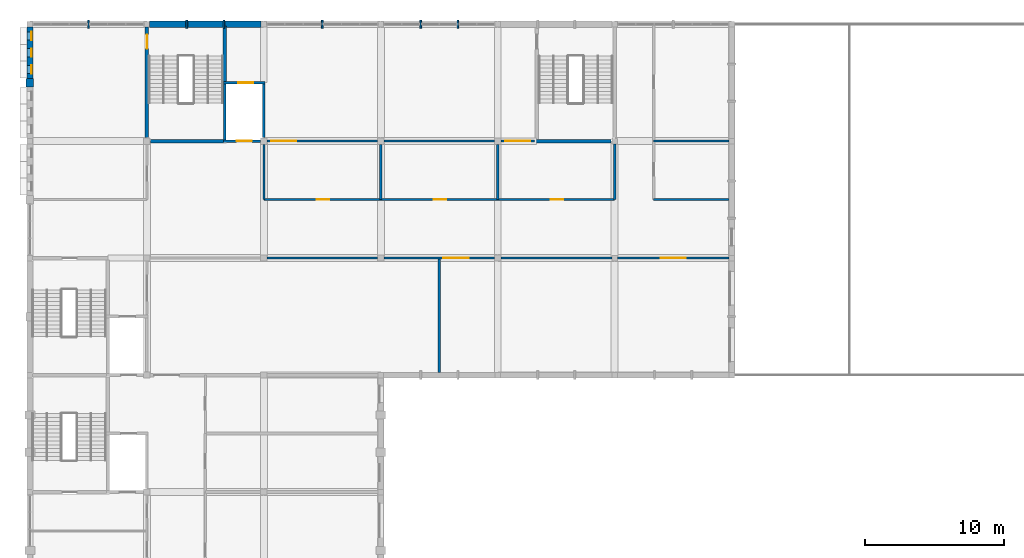
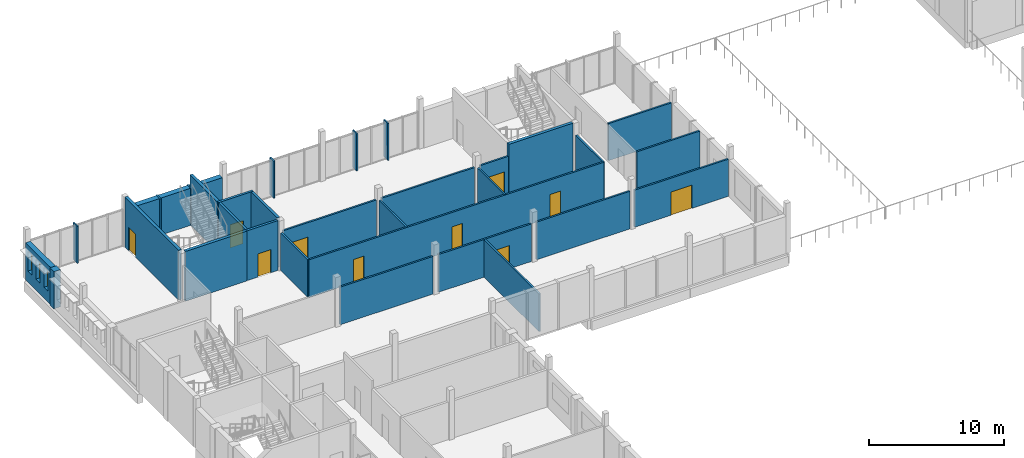
# One storey, part 22 of 30: 34 walls, 10 doors, 3 windows, 13 openings.
"""IFC4 building model written with IfcOpenShell, lengths in metres."""

from ifc_helpers import new_model, si_unit, direction, frame, frame_2d, origin, place, context, subcontext, project, spatial, rectangle, extrude, material, layer, layer_set, type_object, element, fill, save


model = new_model("IFC4")

# Units and contexts
model_context = context("Model", 3, precision=1e-05, world=origin(), true_north=direction((0.0, 1.0)))
body_context = subcontext(model_context, "Body", "Model", "MODEL_VIEW")
ifc_project = project(units=[si_unit("LENGTHUNIT", "METRE"), si_unit("AREAUNIT", "SQUARE_METRE"), si_unit("VOLUMEUNIT", "CUBIC_METRE"), si_unit("PLANEANGLEUNIT", "RADIAN"), si_unit("MASSUNIT", "GRAM", prefix="KILO")], contexts=[model_context])

# Site, building, storey
site_placement = place(None, origin())
site = spatial("IfcSite", under=ifc_project, at=site_placement, CompositionType="ELEMENT")
building_placement = place(site_placement, origin())
building = spatial("IfcBuilding", under=site, at=building_placement, Name="Fescue Hill Polytechnic", CompositionType="ELEMENT")
storey_placement = place(building_placement, frame((0.0, 0.0, 22.5)))
storey = spatial("IfcBuildingStorey", under=building, at=storey_placement, Name="L05", CompositionType="ELEMENT", Elevation=22.5)

# Walls
ifc_material_1 = material(Name="Clay brick masonry", Category="masonry")
ifc_layer_1 = layer(ifc_material_1, 0.550048828125)
ifc_layer_set_1 = layer_set([ifc_layer_1], Name="Clay brick masonry")
wall_type_1 = type_object("IfcWallType", Name="Brick pier 600x550", PredefinedType="SOLIDWALL", material=ifc_layer_set_1)
wall_1_placement = place(storey_placement, frame((0.0, 130.5, 0.0), z_axis=(0.0, 0.0, 1.0), x_axis=(0.0, -1.0, 0.0)))
element("IfcWall", 1, at=wall_1_placement, inside=storey, type_object=wall_type_1, Name="PR-L05-V5-15", PredefinedType="SOLIDWALL", context=body_context, shape_type="SweptSolid", body=[
    extrude(rectangle(XDim=0.60009765625, YDim=0.550048828125, at=frame_2d((0.300048828125, 0.0))), origin(), (0.0, 0.0, 1.0), 3.35009765625),
])
ifc_material_2 = material(Name="Concrete 40 MPa", Category="concrete")
ifc_layer_2 = layer(ifc_material_2, 0.25)
ifc_layer_set_2 = layer_set([ifc_layer_2], Name="Concrete 40 MPa")
wall_type_2 = type_object("IfcWallType", Name="Core wall 250", PredefinedType="SHEAR", material=ifc_layer_set_2)
wall_2_placement = place(storey_placement, frame((36.27490234375, 126.0, 0.0), z_axis=(0.0, 0.0, 1.0), x_axis=(1.0, 0.0, 0.0)))
element("IfcWall", 2, at=wall_2_placement, inside=storey, type_object=wall_type_2, Name="CW-L05-ST-V5-2-11", PredefinedType="SHEAR", context=body_context, shape_type="SweptSolid", body=[
    extrude(rectangle(XDim=5.47509765625, YDim=0.25, at=frame_2d((2.737548828125, 0.0))), origin(), (0.0, 0.0, 1.0), 4.5),
])
wall_3_placement = place(storey_placement, frame((8.64990234375, 126.0, 0.0), z_axis=(0.0, 0.0, 1.0), x_axis=(1.0, 0.0, 0.0)))
element("IfcWall", 3, at=wall_3_placement, inside=storey, type_object=wall_type_2, Name="CW-L05-ST-V5-3-11", PredefinedType="SHEAR", context=body_context, shape_type="SweptSolid", body=[
    extrude(rectangle(XDim=5.25, YDim=0.25, at=frame_2d((2.625, 0.0))), origin(), (0.0, 0.0, 1.0), 4.5),
])

# Wall, opening, door
wall_4_placement = place(storey_placement, frame((8.39990234375, 126.25, 0.0), z_axis=(0.0, 0.0, 1.0), x_axis=(0.0, 1.0, 0.0)))
wall_4 = element("IfcWall", 4, at=wall_4_placement, inside=storey, type_object=wall_type_2, Name="CW-L05-ST-V5-3-31", PredefinedType="SHEAR", context=body_context, shape_type="SweptSolid", body=[
    extrude(rectangle(XDim=7.949951171875, YDim=0.25, at=frame_2d((3.97509765625, 0.0))), origin(), (0.0, 0.0, 1.0), 4.5),
])
opening_1_placement = place(wall_4_placement, frame((6.39990234375, 0.0, 0.0)))
opening_1 = element("IfcOpeningElement", 5, at=opening_1_placement, cuts=wall_4, Name="Opening D5045", PredefinedType="OPENING", context=body_context, shape_type="SweptSolid", body=[
    extrude(rectangle(XDim=1.0, YDim=2.10009765625, at=frame_2d((0.5, 1.050048828125))), frame((0.0, 0.135009765625, 0.0), z_axis=(0.0, -1.0, 0.0), x_axis=(1.0, 0.0, 0.0)), (0.0, 0.0, 1.0), 0.27001953125),
])
ifc_material_3 = material(Name="Steel fire door", Category="steel")
door_type_1 = type_object("IfcDoorType", Name="Door single swing 1000x2100 stair fire rated", OperationType="NOTDEFINED", PredefinedType="DOOR", material=ifc_material_3)
door_1_placement = place(opening_1_placement, origin())
door_1 = element("IfcDoor", 6, at=door_1_placement, inside=storey, type_object=door_type_1, Name="L05 ST-V5-3 stair door", OperationType="SINGLE_SWING_LEFT", OverallHeight=2.10009765625, OverallWidth=1.0, PredefinedType="DOOR", context=body_context, shape_type="SweptSolid", body=[
    extrude(rectangle(XDim=1.0, YDim=2.10009765625, at=frame_2d((0.5, 1.050048828125))), frame((0.0, 0.02490234375, 0.0), z_axis=(0.0, -1.0, 0.0), x_axis=(1.0, 0.0, 0.0)), (0.0, 0.0, 1.0), 0.050048828125),
])
fill(opening_1, door_1)

# Walls
wall_5_placement = place(storey_placement, frame((14.0, 130.2099609375, 0.0), z_axis=(0.0, 0.0, 1.0), x_axis=(0.0, 1.0, 0.0)))
element("IfcWall", 7, at=wall_5_placement, inside=storey, type_object=wall_type_2, Name="CW-L05-ST-V5-3-41", PredefinedType="SHEAR", context=body_context, shape_type="SweptSolid", body=[
    extrude(rectangle(XDim=4.06494140625, YDim=0.25, at=frame_2d((2.032470703125, 0.0))), origin(), (0.0, 0.0, 1.0), 4.5),
])
ifc_material_4 = material(Name="Gypsum board partition")
ifc_layer_3 = layer(ifc_material_4, 0.14990234375)
ifc_layer_set_3 = layer_set([ifc_layer_3], Name="Gypsum board partition")
wall_type_3 = type_object("IfcWallType", Name="Corridor wall 150 EI 45", PredefinedType="PARTITIONING", material=ifc_layer_set_3)
wall_6_placement = place(storey_placement, frame((17.02490234375, 117.60009765625, 0.0), z_axis=(0.0, 0.0, 1.0), x_axis=(1.0, 0.0, 0.0)))
element("IfcWall", 8, at=wall_6_placement, inside=storey, type_object=wall_type_3, Name="IW-L05-023", PredefinedType="PARTITIONING", context=body_context, shape_type="SweptSolid", body=[
    extrude(rectangle(XDim=7.9501953125, YDim=0.14990234375, at=frame_2d((3.97509765625, 0.0))), origin(), (0.0, 0.0, 1.0), 3.39990234375),
])

# Wall, opening, door
wall_7_placement = place(storey_placement, frame((25.425048828125, 117.60009765625, 0.0), z_axis=(0.0, 0.0, 1.0), x_axis=(1.0, 0.0, 0.0)))
wall_7 = element("IfcWall", 9, at=wall_7_placement, inside=storey, type_object=wall_type_3, Name="IW-L05-024", PredefinedType="PARTITIONING", context=body_context, shape_type="SweptSolid", body=[
    extrude(rectangle(XDim=7.949951171875, YDim=0.14990234375, at=frame_2d((3.97509765625, 0.0))), origin(), (0.0, 0.0, 1.0), 3.39990234375),
])
opening_2_placement = place(wall_7_placement, frame((4.27490234375, 0.0, 0.0)))
opening_2 = element("IfcOpeningElement", 10, at=opening_2_placement, cuts=wall_7, Name="Opening D5020", PredefinedType="OPENING", context=body_context, shape_type="SweptSolid", body=[
    extrude(rectangle(XDim=1.800048828125, YDim=2.10009765625, at=frame_2d((0.89990234375, 1.050048828125))), frame((0.0, 0.0849609375, 0.0), z_axis=(0.0, -1.0, 0.0), x_axis=(1.0, 0.0, 0.0)), (0.0, 0.0, 1.0), 0.169921875),
])
ifc_material_5 = material(Name="Timber", Category="wood")
door_type_2 = type_object("IfcDoorType", Name="Door double swing 1800x2100 FD30S", OperationType="DOUBLE_DOOR_SINGLE_SWING", PredefinedType="DOOR", material=ifc_material_5)
door_2_placement = place(opening_2_placement, origin())
door_2 = element("IfcDoor", 11, at=door_2_placement, inside=storey, type_object=door_type_2, Name="Door D5020", OperationType="DOUBLE_DOOR_SINGLE_SWING", OverallHeight=2.10009765625, OverallWidth=1.800048828125, PredefinedType="DOOR", context=body_context, shape_type="SweptSolid", body=[
    extrude(rectangle(XDim=1.800048828125, YDim=2.10009765625, at=frame_2d((0.89990234375, 1.050048828125))), frame((0.0, 0.02490234375, 0.0), z_axis=(0.0, -1.0, 0.0), x_axis=(1.0, 0.0, 0.0)), (0.0, 0.0, 1.0), 0.050048828125),
])
fill(opening_2, door_2)

# Wall
wall_8_placement = place(storey_placement, frame((33.824951171875, 117.60009765625, 0.0), z_axis=(0.0, 0.0, 1.0), x_axis=(1.0, 0.0, 0.0)))
element("IfcWall", 12, at=wall_8_placement, inside=storey, type_object=wall_type_3, Name="IW-L05-025", PredefinedType="PARTITIONING", context=body_context, shape_type="SweptSolid", body=[
    extrude(rectangle(XDim=7.97509765625, YDim=0.14990234375, at=frame_2d((3.987548828125, 0.0))), origin(), (0.0, 0.0, 1.0), 3.39990234375),
])

# Wall, opening, door
wall_9_placement = place(storey_placement, frame((42.199951171875, 117.60009765625, 0.0), z_axis=(0.0, 0.0, 1.0), x_axis=(1.0, 0.0, 0.0)))
wall_9 = element("IfcWall", 13, at=wall_9_placement, inside=storey, type_object=wall_type_3, Name="IW-L05-026", PredefinedType="PARTITIONING", context=body_context, shape_type="SweptSolid", body=[
    extrude(rectangle(XDim=8.0, YDim=0.14990234375, at=frame_2d((4.0, 0.0))), origin(), (0.0, 0.0, 1.0), 3.35009765625),
])
opening_3_placement = place(wall_9_placement, frame((3.10009765625, 0.0, 0.0)))
opening_3 = element("IfcOpeningElement", 14, at=opening_3_placement, cuts=wall_9, Name="Opening D5019", PredefinedType="OPENING", context=body_context, shape_type="SweptSolid", body=[
    extrude(rectangle(XDim=1.800048828125, YDim=2.10009765625, at=frame_2d((0.89990234375, 1.050048828125))), frame((0.0, 0.0849609375, 0.0), z_axis=(0.0, -1.0, 0.0), x_axis=(1.0, 0.0, 0.0)), (0.0, 0.0, 1.0), 0.169921875),
])
door_3_placement = place(opening_3_placement, origin())
door_3 = element("IfcDoor", 15, at=door_3_placement, inside=storey, type_object=door_type_2, Name="Door D5019", OperationType="DOUBLE_DOOR_SINGLE_SWING", OverallHeight=2.10009765625, OverallWidth=1.800048828125, PredefinedType="DOOR", context=body_context, shape_type="SweptSolid", body=[
    extrude(rectangle(XDim=1.800048828125, YDim=2.10009765625, at=frame_2d((0.89990234375, 1.050048828125))), frame((0.0, 0.02490234375, 0.0), z_axis=(0.0, -1.0, 0.0), x_axis=(1.0, 0.0, 0.0)), (0.0, 0.0, 1.0), 0.050048828125),
])
fill(opening_3, door_3)

# Wall, openings, doors
wall_10_placement = place(storey_placement, frame((16.800048828125, 121.800048828125, 0.0), z_axis=(0.0, 0.0, 1.0), x_axis=(1.0, 0.0, 0.0)))
wall_10 = element("IfcWall", 16, at=wall_10_placement, inside=storey, type_object=wall_type_3, Name="IW-L05-031", PredefinedType="PARTITIONING", context=body_context, shape_type="SweptSolid", body=[
    extrude(rectangle(XDim=25.199951171875, YDim=0.14990234375, at=frame_2d((12.60009765625, 0.0))), origin(), (0.0, 0.0, 1.0), 3.39990234375),
])
opening_4_placement = place(wall_10_placement, frame((3.800048828125, 0.0, 0.0)))
opening_4 = element("IfcOpeningElement", 17, at=opening_4_placement, cuts=wall_10, Name="Opening D5021", PredefinedType="OPENING", context=body_context, shape_type="SweptSolid", body=[
    extrude(rectangle(XDim=0.89990234375, YDim=2.10009765625, at=frame_2d((0.449951171875, 1.050048828125))), frame((0.0, 0.0849609375, 0.0), z_axis=(0.0, -1.0, 0.0), x_axis=(1.0, 0.0, 0.0)), (0.0, 0.0, 1.0), 0.169921875),
])
opening_5_placement = place(wall_10_placement, frame((12.199951171875, 0.0, 0.0)))
opening_5 = element("IfcOpeningElement", 18, at=opening_5_placement, cuts=wall_10, Name="Opening D5022", PredefinedType="OPENING", context=body_context, shape_type="SweptSolid", body=[
    extrude(rectangle(XDim=0.89990234375, YDim=2.10009765625, at=frame_2d((0.449951171875, 1.050048828125))), frame((0.0, 0.0849609375, 0.0), z_axis=(0.0, -1.0, 0.0), x_axis=(1.0, 0.0, 0.0)), (0.0, 0.0, 1.0), 0.169921875),
])
opening_6_placement = place(wall_10_placement, frame((20.60009765625, 0.0, 0.0)))
opening_6 = element("IfcOpeningElement", 19, at=opening_6_placement, cuts=wall_10, Name="Opening D5023", PredefinedType="OPENING", context=body_context, shape_type="SweptSolid", body=[
    extrude(rectangle(XDim=0.89990234375, YDim=2.10009765625, at=frame_2d((0.449951171875, 1.050048828125))), frame((0.0, 0.0849609375, 0.0), z_axis=(0.0, -1.0, 0.0), x_axis=(1.0, 0.0, 0.0)), (0.0, 0.0, 1.0), 0.169921875),
])
door_type_3 = type_object("IfcDoorType", Name="Door single swing 900x2100 FD30S", OperationType="SINGLE_SWING_LEFT", PredefinedType="DOOR", material=ifc_material_5)
door_4_placement = place(opening_4_placement, origin())
door_4 = element("IfcDoor", 20, at=door_4_placement, inside=storey, type_object=door_type_3, Name="Door D5021", OperationType="SINGLE_SWING_LEFT", OverallHeight=2.10009765625, OverallWidth=0.89990234375, PredefinedType="DOOR", context=body_context, shape_type="SweptSolid", body=[
    extrude(rectangle(XDim=0.89990234375, YDim=2.10009765625, at=frame_2d((0.449951171875, 1.050048828125))), frame((0.0, 0.02490234375, 0.0), z_axis=(0.0, -1.0, 0.0), x_axis=(1.0, 0.0, 0.0)), (0.0, 0.0, 1.0), 0.050048828125),
])
fill(opening_4, door_4)
door_5_placement = place(opening_5_placement, origin())
door_5 = element("IfcDoor", 21, at=door_5_placement, inside=storey, type_object=door_type_3, Name="Door D5022", OperationType="SINGLE_SWING_RIGHT", OverallHeight=2.10009765625, OverallWidth=0.89990234375, PredefinedType="DOOR", context=body_context, shape_type="SweptSolid", body=[
    extrude(rectangle(XDim=0.89990234375, YDim=2.10009765625, at=frame_2d((0.449951171875, 1.050048828125))), frame((0.0, 0.02490234375, 0.0), z_axis=(0.0, -1.0, 0.0), x_axis=(1.0, 0.0, 0.0)), (0.0, 0.0, 1.0), 0.050048828125),
])
fill(opening_5, door_5)
door_6_placement = place(opening_6_placement, origin())
door_6 = element("IfcDoor", 22, at=door_6_placement, inside=storey, type_object=door_type_3, Name="Door D5023", OperationType="SINGLE_SWING_RIGHT", OverallHeight=2.10009765625, OverallWidth=0.89990234375, PredefinedType="DOOR", context=body_context, shape_type="SweptSolid", body=[
    extrude(rectangle(XDim=0.89990234375, YDim=2.10009765625, at=frame_2d((0.449951171875, 1.050048828125))), frame((0.0, 0.02490234375, 0.0), z_axis=(0.0, -1.0, 0.0), x_axis=(1.0, 0.0, 0.0)), (0.0, 0.0, 1.0), 0.050048828125),
])
fill(opening_6, door_6)

# Walls
wall_11_placement = place(storey_placement, frame((44.800048828125, 121.800048828125, 0.0), z_axis=(0.0, 0.0, 1.0), x_axis=(1.0, 0.0, 0.0)))
element("IfcWall", 23, at=wall_11_placement, inside=storey, type_object=wall_type_3, Name="IW-L05-032", PredefinedType="PARTITIONING", context=body_context, shape_type="SweptSolid", body=[
    extrude(rectangle(XDim=5.39990234375, YDim=0.14990234375, at=frame_2d((2.699951171875, 0.0))), origin(), (0.0, 0.0, 1.0), 3.35009765625),
])
wall_12_placement = place(storey_placement, frame((42.0, 121.800048828125, 0.0), z_axis=(0.0, 0.0, 1.0), x_axis=(0.0, 1.0, 0.0)))
element("IfcWall", 24, at=wall_12_placement, inside=storey, type_object=wall_type_3, Name="IW-L05-058", PredefinedType="PARTITIONING", context=body_context, shape_type="SweptSolid", body=[
    extrude(rectangle(XDim=4.0, YDim=0.14990234375, at=frame_2d((2.0, 0.0))), origin(), (0.0, 0.0, 1.0), 3.39990234375),
])
ifc_layer_4 = layer(ifc_material_2, 0.449951171875)
ifc_layer_set_4 = layer_set([ifc_layer_4], Name="Concrete 40 MPa")
wall_type_4 = type_object("IfcWallType", Name="Exterior wall board-marked concrete 450", PredefinedType="SOLIDWALL", material=ifc_layer_set_4)
wall_13_placement = place(storey_placement, frame((16.60009765625, 134.39990234375, 0.0), z_axis=(0.0, 0.0, 1.0), x_axis=(-1.0, 0.0, 0.0)))
element("IfcWall", 25, at=wall_13_placement, inside=storey, type_object=wall_type_4, Name="EW-L05-V5-13", PredefinedType="SOLIDWALL", context=body_context, shape_type="SweptSolid", body=[
    extrude(rectangle(XDim=2.606689453125, YDim=0.449951171875, at=frame_2d((1.30322265625, 0.0))), origin(), (0.0, 0.0, 1.0), 3.35009765625),
])
ifc_layer_5 = layer(ifc_material_2, 0.449951171875)
ifc_layer_set_5 = layer_set([ifc_layer_5], Name="Concrete 40 MPa")
wall_type_5 = type_object("IfcWallType", Name="Exterior wall board-marked concrete 450 load-bearing", PredefinedType="SOLIDWALL", material=ifc_layer_set_5)
wall_14_placement = place(storey_placement, frame((13.873291015625, 134.39990234375, 0.0), z_axis=(0.0, 0.0, 1.0), x_axis=(-1.0, 0.0, 0.0)))
element("IfcWall", 26, at=wall_14_placement, inside=storey, type_object=wall_type_5, Name="EW-L05-V5-14", PredefinedType="SOLIDWALL", context=body_context, shape_type="SweptSolid", body=[
    extrude(rectangle(XDim=2.546630859375, YDim=0.449951171875, at=frame_2d((1.2734375, 0.0))), origin(), (0.0, 0.0, 1.0), 3.35009765625),
])
wall_15_placement = place(storey_placement, frame((11.206787109375, 134.39990234375, 0.0), z_axis=(0.0, 0.0, 1.0), x_axis=(-1.0, 0.0, 0.0)))
element("IfcWall", 27, at=wall_15_placement, inside=storey, type_object=wall_type_5, Name="EW-L05-V5-15", PredefinedType="SOLIDWALL", context=body_context, shape_type="SweptSolid", body=[
    extrude(rectangle(XDim=2.606689453125, YDim=0.449951171875, at=frame_2d((1.30322265625, 0.0))), origin(), (0.0, 0.0, 1.0), 3.35009765625),
])

# Wall, openings, windows
ifc_layer_6 = layer(ifc_material_1, 0.419921875)
ifc_layer_set_6 = layer_set([ifc_layer_6], Name="Clay brick masonry")
wall_type_6 = type_object("IfcWallType", Name="Exterior wall buff-red brick cavity 420", PredefinedType="SOLIDWALL", material=ifc_layer_set_6)
wall_16_placement = place(storey_placement, frame((0.0, 134.199951171875, 0.0), z_axis=(0.0, 0.0, 1.0), x_axis=(0.0, -1.0, 0.0)))
wall_16 = element("IfcWall", 28, at=wall_16_placement, inside=storey, type_object=wall_type_6, Name="EW-L05-V5-17", PredefinedType="SOLIDWALL", context=body_context, shape_type="SweptSolid", body=[
    extrude(rectangle(XDim=3.699951171875, YDim=0.419921875, at=frame_2d((1.85009765625, 0.0))), origin(), (0.0, 0.0, 1.0), 3.35009765625),
])
opening_7_placement = place(wall_16_placement, frame((0.35009765625, 0.0, 1.0)))
opening_7 = element("IfcOpeningElement", 29, at=opening_7_placement, cuts=wall_16, Name="Opening W6R", PredefinedType="OPENING", context=body_context, shape_type="SweptSolid", body=[
    extrude(rectangle(XDim=0.60009765625, YDim=1.800048828125, at=frame_2d((0.300048828125, 0.89990234375))), frame((0.0, 0.219970703125, 0.0), z_axis=(0.0, -1.0, 0.0), x_axis=(1.0, 0.0, 0.0)), (0.0, 0.0, 1.0), 0.43994140625),
])
opening_8_placement = place(wall_16_placement, frame((1.550048828125, 0.0, 1.0)))
opening_8 = element("IfcOpeningElement", 30, at=opening_8_placement, cuts=wall_16, Name="Opening W6R", PredefinedType="OPENING", context=body_context, shape_type="SweptSolid", body=[
    extrude(rectangle(XDim=0.60009765625, YDim=1.800048828125, at=frame_2d((0.300048828125, 0.89990234375))), frame((0.0, 0.219970703125, 0.0), z_axis=(0.0, -1.0, 0.0), x_axis=(1.0, 0.0, 0.0)), (0.0, 0.0, 1.0), 0.43994140625),
])
opening_9_placement = place(wall_16_placement, frame((2.75, 0.0, 1.0)))
opening_9 = element("IfcOpeningElement", 31, at=opening_9_placement, cuts=wall_16, Name="Opening W6R", PredefinedType="OPENING", context=body_context, shape_type="SweptSolid", body=[
    extrude(rectangle(XDim=0.60009765625, YDim=1.800048828125, at=frame_2d((0.300048828125, 0.89990234375))), frame((0.0, 0.219970703125, 0.0), z_axis=(0.0, -1.0, 0.0), x_axis=(1.0, 0.0, 0.0)), (0.0, 0.0, 1.0), 0.43994140625),
])
ifc_material_6 = material(Name="Powder-coated aluminium and glass", Category="aluminium")
window_type = type_object("IfcWindowType", Name="Window slot 600x1800", PartitioningType="SINGLE_PANEL", PredefinedType="WINDOW", material=ifc_material_6)
window_1_placement = place(opening_7_placement, origin())
window_1 = element("IfcWindow", 32, at=window_1_placement, inside=storey, type_object=window_type, Name="WN-L05-V5-3", OverallHeight=1.800048828125, OverallWidth=0.60009765625, PartitioningType="SINGLE_PANEL", PredefinedType="WINDOW", context=body_context, shape_type="SweptSolid", body=[
    extrude(rectangle(XDim=0.60009765625, YDim=1.800048828125, at=frame_2d((0.300048828125, 0.89990234375))), frame((0.0, 0.150146484375, 0.0), z_axis=(0.0, -1.0, 0.0), x_axis=(1.0, 0.0, 0.0)), (0.0, 0.0, 1.0), 0.06005859375),
])
fill(opening_7, window_1)
window_2_placement = place(opening_8_placement, origin())
window_2 = element("IfcWindow", 33, at=window_2_placement, inside=storey, type_object=window_type, Name="WN-L05-V5-4", OverallHeight=1.800048828125, OverallWidth=0.60009765625, PartitioningType="SINGLE_PANEL", PredefinedType="WINDOW", context=body_context, shape_type="SweptSolid", body=[
    extrude(rectangle(XDim=0.60009765625, YDim=1.800048828125, at=frame_2d((0.300048828125, 0.89990234375))), frame((0.0, 0.150146484375, 0.0), z_axis=(0.0, -1.0, 0.0), x_axis=(1.0, 0.0, 0.0)), (0.0, 0.0, 1.0), 0.06005859375),
])
fill(opening_8, window_2)
window_3_placement = place(opening_9_placement, origin())
window_3 = element("IfcWindow", 34, at=window_3_placement, inside=storey, type_object=window_type, Name="WN-L05-V5-5", OverallHeight=1.800048828125, OverallWidth=0.60009765625, PartitioningType="SINGLE_PANEL", PredefinedType="WINDOW", context=body_context, shape_type="SweptSolid", body=[
    extrude(rectangle(XDim=0.60009765625, YDim=1.800048828125, at=frame_2d((0.300048828125, 0.89990234375))), frame((0.0, 0.150146484375, 0.0), z_axis=(0.0, -1.0, 0.0), x_axis=(1.0, 0.0, 0.0)), (0.0, 0.0, 1.0), 0.06005859375),
])
fill(opening_9, window_3)

# Wall, opening, door
ifc_layer_7 = layer(ifc_material_2, 0.199951171875)
ifc_layer_set_7 = layer_set([ifc_layer_7], Name="Concrete 40 MPa")
wall_type_7 = type_object("IfcWallType", Name="Lift shaft wall 200", PredefinedType="SHEAR", material=ifc_layer_set_7)
wall_17_placement = place(storey_placement, frame((13.89990234375, 126.0, 0.0), z_axis=(0.0, 0.0, 1.0), x_axis=(1.0, 0.0, 0.0)))
wall_17 = element("IfcWall", 35, at=wall_17_placement, inside=storey, type_object=wall_type_7, Name="CW-L05-LF-V5-2-11", PredefinedType="SHEAR", context=body_context, shape_type="SweptSolid", body=[
    extrude(rectangle(XDim=2.650146484375, YDim=0.199951171875, at=frame_2d((1.3251953125, 0.0))), origin(), (0.0, 0.0, 1.0), 4.5),
])
opening_10_placement = place(wall_17_placement, frame((0.949951171875, 0.0, 0.0)))
opening_10 = element("IfcOpeningElement", 36, at=opening_10_placement, cuts=wall_17, Name="Opening LD7-L05", PredefinedType="OPENING", context=body_context, shape_type="SweptSolid", body=[
    extrude(rectangle(XDim=1.10009765625, YDim=2.10009765625, at=frame_2d((0.550048828125, 1.050048828125))), frame((0.0, 0.10986328125, 0.0), z_axis=(0.0, -1.0, 0.0), x_axis=(1.0, 0.0, 0.0)), (0.0, 0.0, 1.0), 0.219970703125),
])
ifc_material_7 = material(Name="Stainless steel", Category="steel")
door_type_4 = type_object("IfcDoorType", Name="Lift landing door sliding 1100x2100", OperationType="SLIDING_TO_LEFT", PredefinedType="DOOR", material=ifc_material_7)
door_7_placement = place(opening_10_placement, origin())
door_7 = element("IfcDoor", 37, at=door_7_placement, inside=storey, type_object=door_type_4, Name="L05 LF-V5-2 lift landing door", OperationType="SLIDING_TO_RIGHT", OverallHeight=2.10009765625, OverallWidth=1.10009765625, PredefinedType="DOOR", context=body_context, shape_type="SweptSolid", body=[
    extrude(rectangle(XDim=1.10009765625, YDim=2.10009765625, at=frame_2d((0.550048828125, 1.050048828125))), frame((0.0, 0.02490234375, 0.0), z_axis=(0.0, -1.0, 0.0), x_axis=(1.0, 0.0, 0.0)), (0.0, 0.0, 1.0), 0.050048828125),
])
fill(opening_10, door_7)

wall_18_placement = place(storey_placement, frame((13.89990234375, 130.199951171875, 0.0), z_axis=(0.0, 0.0, 1.0), x_axis=(1.0, 0.0, 0.0)))
wall_18 = element("IfcWall", 38, at=wall_18_placement, inside=storey, type_object=wall_type_7, Name="CW-L05-LF-V5-2-21", PredefinedType="SHEAR", context=body_context, shape_type="SweptSolid", body=[
    extrude(rectangle(XDim=3.0, YDim=0.199951171875, at=frame_2d((1.5, 0.0))), origin(), (0.0, 0.0, 1.0), 4.5),
])
opening_11_placement = place(wall_18_placement, frame((1.050048828125, 0.0, 0.0)))
opening_11 = element("IfcOpeningElement", 39, at=opening_11_placement, cuts=wall_18, Name="Opening LD7-L05N", PredefinedType="OPENING", context=body_context, shape_type="SweptSolid", body=[
    extrude(rectangle(XDim=1.10009765625, YDim=2.10009765625, at=frame_2d((0.550048828125, 1.050048828125))), frame((0.0, 0.10986328125, 0.0), z_axis=(0.0, -1.0, 0.0), x_axis=(1.0, 0.0, 0.0)), (0.0, 0.0, 1.0), 0.219970703125),
])
door_8_placement = place(opening_11_placement, origin())
door_8 = element("IfcDoor", 40, at=door_8_placement, inside=storey, type_object=door_type_4, Name="L05 LF-V5-2 lift landing door", OperationType="SLIDING_TO_LEFT", OverallHeight=2.10009765625, OverallWidth=1.10009765625, PredefinedType="DOOR", context=body_context, shape_type="SweptSolid", body=[
    extrude(rectangle(XDim=1.10009765625, YDim=2.10009765625, at=frame_2d((0.550048828125, 1.050048828125))), frame((0.0, 0.02490234375, 0.0), z_axis=(0.0, -1.0, 0.0), x_axis=(1.0, 0.0, 0.0)), (0.0, 0.0, 1.0), 0.050048828125),
])
fill(opening_11, door_8)

# Walls
wall_19_placement = place(storey_placement, frame((14.0, 126.10009765625, 0.0), z_axis=(0.0, 0.0, 1.0), x_axis=(0.0, 1.0, 0.0)))
element("IfcWall", 41, at=wall_19_placement, inside=storey, type_object=wall_type_7, Name="CW-L05-LF-V5-2-31", PredefinedType="SHEAR", context=body_context, shape_type="SweptSolid", body=[
    extrude(rectangle(XDim=4.0, YDim=0.199951171875, at=frame_2d((2.0, 0.0))), origin(), (0.0, 0.0, 1.0), 4.5),
])
wall_20_placement = place(storey_placement, frame((16.800048828125, 126.25, 0.0), z_axis=(0.0, 0.0, 1.0), x_axis=(0.0, 1.0, 0.0)))
element("IfcWall", 42, at=wall_20_placement, inside=storey, type_object=wall_type_7, Name="CW-L05-LF-V5-2-41", PredefinedType="SHEAR", context=body_context, shape_type="SweptSolid", body=[
    extrude(rectangle(XDim=3.85009765625, YDim=0.199951171875, at=frame_2d((1.925048828125, 0.0))), origin(), (0.0, 0.0, 1.0), 4.5),
])
ifc_layer_8 = layer(ifc_material_4, 0.14990234375)
ifc_layer_set_8 = layer_set([ifc_layer_8], Name="Gypsum board partition")
wall_type_8 = type_object("IfcWallType", Name="Lobby wall 150 EI 60", PredefinedType="PARTITIONING", material=ifc_layer_set_8)
wall_21_placement = place(storey_placement, frame((16.800048828125, 121.800048828125, 0.0), z_axis=(0.0, 0.0, 1.0), x_axis=(0.0, 1.0, 0.0)))
element("IfcWall", 43, at=wall_21_placement, inside=storey, type_object=wall_type_8, Name="IW-L05-054", PredefinedType="PARTITIONING", context=body_context, shape_type="SweptSolid", body=[
    extrude(rectangle(XDim=3.974853515625, YDim=0.14990234375, at=frame_2d((1.9873046875, 0.0))), origin(), (0.0, 0.0, 1.0), 3.39990234375),
])

# Wall, opening, door
ifc_layer_9 = layer(ifc_material_4, 0.14990234375)
ifc_layer_set_9 = layer_set([ifc_layer_9], Name="Gypsum board partition")
wall_type_9 = type_object("IfcWallType", Name="Partition stud 150 acoustic", PredefinedType="PARTITIONING", material=ifc_layer_set_9)
wall_22_placement = place(storey_placement, frame((17.02490234375, 126.0, 0.0), z_axis=(0.0, 0.0, 1.0), x_axis=(1.0, 0.0, 0.0)))
wall_22 = element("IfcWall", 44, at=wall_22_placement, inside=storey, type_object=wall_type_9, Name="IW-L05-034", PredefinedType="PARTITIONING", context=body_context, shape_type="SweptSolid", body=[
    extrude(rectangle(XDim=7.9501953125, YDim=0.14990234375, at=frame_2d((3.97509765625, 0.0))), origin(), (0.0, 0.0, 1.0), 3.39990234375),
])
opening_12_placement = place(wall_22_placement, frame((0.300048828125, 0.0, 0.0)))
opening_12 = element("IfcOpeningElement", 45, at=opening_12_placement, cuts=wall_22, Name="Opening D5026", PredefinedType="OPENING", context=body_context, shape_type="SweptSolid", body=[
    extrude(rectangle(XDim=1.800048828125, YDim=2.10009765625, at=frame_2d((0.89990234375, 1.050048828125))), frame((0.0, 0.0849609375, 0.0), z_axis=(0.0, -1.0, 0.0), x_axis=(1.0, 0.0, 0.0)), (0.0, 0.0, 1.0), 0.169921875),
])
door_type_5 = type_object("IfcDoorType", Name="Door double swing 1800x2100", OperationType="DOUBLE_DOOR_SINGLE_SWING", PredefinedType="DOOR", material=ifc_material_5)
door_9_placement = place(opening_12_placement, origin())
door_9 = element("IfcDoor", 46, at=door_9_placement, inside=storey, type_object=door_type_5, Name="Door D5026", OperationType="DOUBLE_DOOR_SINGLE_SWING", OverallHeight=2.10009765625, OverallWidth=1.800048828125, PredefinedType="DOOR", context=body_context, shape_type="SweptSolid", body=[
    extrude(rectangle(XDim=1.800048828125, YDim=2.10009765625, at=frame_2d((0.89990234375, 1.050048828125))), frame((0.0, 0.02490234375, 0.0), z_axis=(0.0, -1.0, 0.0), x_axis=(1.0, 0.0, 0.0)), (0.0, 0.0, 1.0), 0.050048828125),
])
fill(opening_12, door_9)

# Wall
wall_23_placement = place(storey_placement, frame((25.425048828125, 126.0, 0.0), z_axis=(0.0, 0.0, 1.0), x_axis=(1.0, 0.0, 0.0)))
element("IfcWall", 47, at=wall_23_placement, inside=storey, type_object=wall_type_9, Name="IW-L05-035", PredefinedType="PARTITIONING", context=body_context, shape_type="SweptSolid", body=[
    extrude(rectangle(XDim=7.949951171875, YDim=0.14990234375, at=frame_2d((3.97509765625, 0.0))), origin(), (0.0, 0.0, 1.0), 3.39990234375),
])

# Wall, opening, door
wall_24_placement = place(storey_placement, frame((33.824951171875, 126.0, 0.0), z_axis=(0.0, 0.0, 1.0), x_axis=(1.0, 0.0, 0.0)))
wall_24 = element("IfcWall", 48, at=wall_24_placement, inside=storey, type_object=wall_type_9, Name="IW-L05-036", PredefinedType="PARTITIONING", context=body_context, shape_type="SweptSolid", body=[
    extrude(rectangle(XDim=2.425048828125, YDim=0.14990234375, at=frame_2d((1.21240234375, 0.0))), origin(), (0.0, 0.0, 1.0), 3.39990234375),
])
opening_13_placement = place(wall_24_placement, frame((0.300048828125, 0.0, 0.0)))
opening_13 = element("IfcOpeningElement", 49, at=opening_13_placement, cuts=wall_24, Name="Opening D5025", PredefinedType="OPENING", context=body_context, shape_type="SweptSolid", body=[
    extrude(rectangle(XDim=1.800048828125, YDim=2.10009765625, at=frame_2d((0.89990234375, 1.050048828125))), frame((0.0, 0.0849609375, 0.0), z_axis=(0.0, -1.0, 0.0), x_axis=(1.0, 0.0, 0.0)), (0.0, 0.0, 1.0), 0.169921875),
])
door_10_placement = place(opening_13_placement, origin())
door_10 = element("IfcDoor", 50, at=door_10_placement, inside=storey, type_object=door_type_5, Name="Door D5025", OperationType="DOUBLE_DOOR_SINGLE_SWING", OverallHeight=2.10009765625, OverallWidth=1.800048828125, PredefinedType="DOOR", context=body_context, shape_type="SweptSolid", body=[
    extrude(rectangle(XDim=1.800048828125, YDim=2.10009765625, at=frame_2d((0.89990234375, 1.050048828125))), frame((0.0, 0.02490234375, 0.0), z_axis=(0.0, -1.0, 0.0), x_axis=(1.0, 0.0, 0.0)), (0.0, 0.0, 1.0), 0.050048828125),
])
fill(opening_13, door_10)

# Walls
wall_25_placement = place(storey_placement, frame((44.800048828125, 126.0, 0.0), z_axis=(0.0, 0.0, 1.0), x_axis=(1.0, 0.0, 0.0)))
element("IfcWall", 51, at=wall_25_placement, inside=storey, type_object=wall_type_9, Name="IW-L05-037", PredefinedType="PARTITIONING", context=body_context, shape_type="SweptSolid", body=[
    extrude(rectangle(XDim=5.39990234375, YDim=0.14990234375, at=frame_2d((2.699951171875, 0.0))), origin(), (0.0, 0.0, 1.0), 3.35009765625),
])
wall_26_placement = place(storey_placement, frame((25.199951171875, 121.800048828125, 0.0), z_axis=(0.0, 0.0, 1.0), x_axis=(0.0, 1.0, 0.0)))
element("IfcWall", 52, at=wall_26_placement, inside=storey, type_object=wall_type_9, Name="IW-L05-055", PredefinedType="PARTITIONING", context=body_context, shape_type="SweptSolid", body=[
    extrude(rectangle(XDim=3.974853515625, YDim=0.14990234375, at=frame_2d((1.9873046875, 0.0))), origin(), (0.0, 0.0, 1.0), 3.39990234375),
])
wall_27_placement = place(storey_placement, frame((29.39990234375, 109.39990234375, 0.0), z_axis=(0.0, 0.0, 1.0), x_axis=(0.0, 1.0, 0.0)))
element("IfcWall", 53, at=wall_27_placement, inside=storey, type_object=wall_type_9, Name="IW-L05-056", PredefinedType="PARTITIONING", context=body_context, shape_type="SweptSolid", body=[
    extrude(rectangle(XDim=8.2001953125, YDim=0.14990234375, at=frame_2d((4.10009765625, 0.0))), origin(), (0.0, 0.0, 1.0), 3.39990234375),
])
wall_28_placement = place(storey_placement, frame((33.60009765625, 121.800048828125, 0.0), z_axis=(0.0, 0.0, 1.0), x_axis=(0.0, 1.0, 0.0)))
element("IfcWall", 54, at=wall_28_placement, inside=storey, type_object=wall_type_9, Name="IW-L05-057", PredefinedType="PARTITIONING", context=body_context, shape_type="SweptSolid", body=[
    extrude(rectangle(XDim=3.974853515625, YDim=0.14990234375, at=frame_2d((1.9873046875, 0.0))), origin(), (0.0, 0.0, 1.0), 3.39990234375),
])
ifc_material_8 = material(Name="Glulam 24f-EX", Category="wood")
ifc_layer_10 = layer(ifc_material_8, 0.60009765625)
ifc_layer_set_10 = layer_set([ifc_layer_10], Name="Glulam 24f-EX")
wall_type_10 = type_object("IfcWallType", Name="Timber fin 120x600", PredefinedType="SOLIDWALL", material=ifc_layer_set_10)
wall_29_placement = place(storey_placement, frame((30.793212890625, 134.39990234375, 0.0), z_axis=(0.0, 0.0, 1.0), x_axis=(-1.0, 0.0, 0.0)))
element("IfcWall", 55, at=wall_29_placement, inside=storey, type_object=wall_type_10, Name="PR-L05-V5-9", PredefinedType="SOLIDWALL", context=body_context, shape_type="SweptSolid", body=[
    extrude(rectangle(XDim=0.119873046875, YDim=0.60009765625, at=frame_2d((0.06005859375, 0.0))), origin(), (0.0, 0.0, 1.0), 3.35009765625),
])
for number, where, z_axis, x_axis, name in (
    (56, (28.126708984375, 134.39990234375, 0.0), (0.0, 0.0, 1.0), (-1.0, 0.0, 0.0), "PR-L05-V5-10"),
    (57, (21.06005859375, 134.39990234375, 0.0), (0.0, 0.0, 1.0), (-1.0, 0.0, 0.0), "PR-L05-V5-11"),
    (58, (13.993408203125, 134.39990234375, 0.0), (0.0, 0.0, 1.0), (-1.0, 0.0, 0.0), "PR-L05-V5-12"),
):
    element("IfcWall", number, at=place(storey_placement, frame(where, z_axis=z_axis, x_axis=x_axis)), inside=storey, type_object=wall_type_10, Name=name, PredefinedType="SOLIDWALL", context=body_context, shape_type="SweptSolid", body=[
        extrude(rectangle(XDim=0.1201171875, YDim=0.60009765625, at=frame_2d((0.06005859375, 0.0))), origin(), (0.0, 0.0, 1.0), 3.35009765625),
    ])
wall_30_placement = place(storey_placement, frame((11.32666015625, 134.39990234375, 0.0), z_axis=(0.0, 0.0, 1.0), x_axis=(-1.0, 0.0, 0.0)))
element("IfcWall", 59, at=wall_30_placement, inside=storey, type_object=wall_type_10, Name="PR-L05-V5-13", PredefinedType="SOLIDWALL", context=body_context, shape_type="SweptSolid", body=[
    extrude(rectangle(XDim=0.119873046875, YDim=0.60009765625, at=frame_2d((0.06005859375, 0.0))), origin(), (0.0, 0.0, 1.0), 3.35009765625),
])
wall_31_placement = place(storey_placement, frame((4.260009765625, 134.39990234375, 0.0), z_axis=(0.0, 0.0, 1.0), x_axis=(-1.0, 0.0, 0.0)))
element("IfcWall", 60, at=wall_31_placement, inside=storey, type_object=wall_type_10, Name="PR-L05-V5-14", PredefinedType="SOLIDWALL", context=body_context, shape_type="SweptSolid", body=[
    extrude(rectangle(XDim=0.1201171875, YDim=0.60009765625, at=frame_2d((0.06005859375, 0.0))), origin(), (0.0, 0.0, 1.0), 3.35009765625),
])

save(model, "model.ifc")
